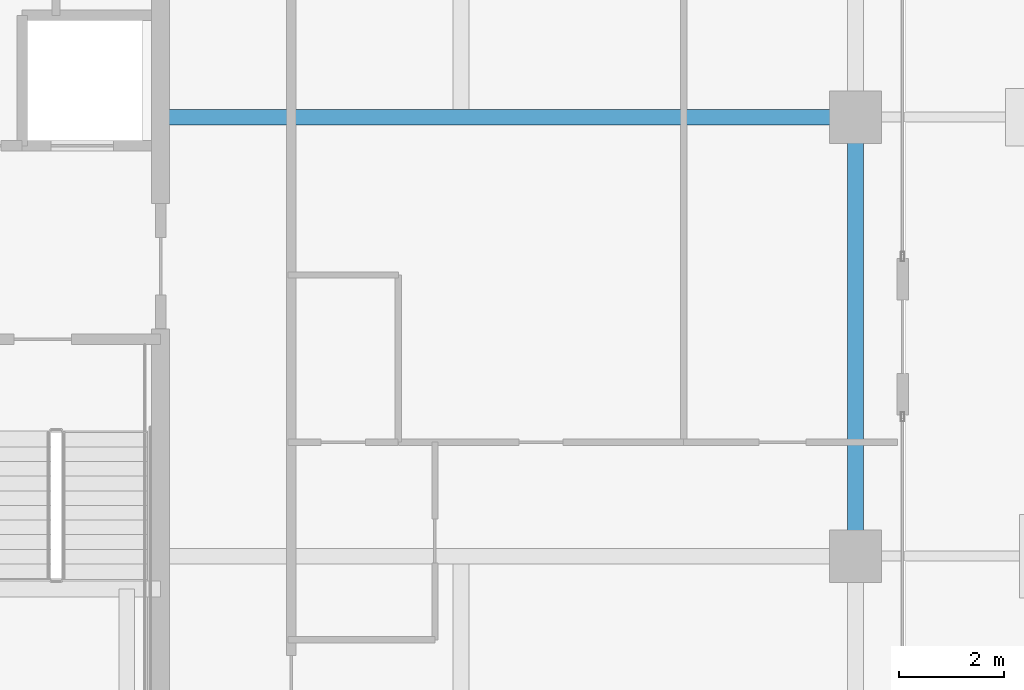
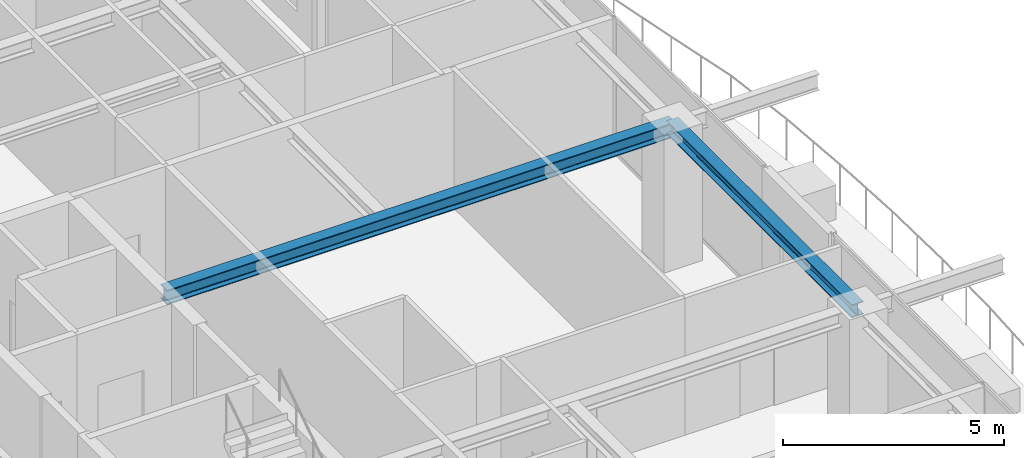
# One storey, part 17 of 42: 2 beams.
"""IFC4 building model written with IfcOpenShell, lengths in metres."""

from ifc_helpers import new_model, si_unit, direction, frame, origin, origin_2d, place, context, subcontext, project, spatial, i_section, extrude, source, transform, mapped, material, material_profile, profile_set, type_object, element, save


model = new_model("IFC4")

# Units and contexts
model_context = context("Model", 3, precision=1e-05, world=origin(), true_north=direction((0.0, 1.0)))
body_context = subcontext(model_context, "Body", "Model", "MODEL_VIEW")
ifc_project = project(units=[si_unit("LENGTHUNIT", "METRE"), si_unit("AREAUNIT", "SQUARE_METRE"), si_unit("VOLUMEUNIT", "CUBIC_METRE"), si_unit("PLANEANGLEUNIT", "RADIAN"), si_unit("MASSUNIT", "GRAM", prefix="KILO")], contexts=[model_context])

# Site, building, storey
site_placement = place(None, origin())
site = spatial("IfcSite", under=ifc_project, at=site_placement, CompositionType="ELEMENT")
building_placement = place(site_placement, origin())
building = spatial("IfcBuilding", under=site, at=building_placement, Name="Serunith Strait Residences", CompositionType="ELEMENT")
storey_placement = place(building_placement, frame((0.0, 0.0, 297.5)))
storey = spatial("IfcBuildingStorey", under=building, at=storey_placement, Name="L74", CompositionType="ELEMENT", Elevation=297.5)

# Beams
ifc_material = material(Name="Steel S355J2", Category="steel")
ifc_material_profile_1 = material_profile(ifc_material, i_section(OverallWidth=0.300048828125, OverallDepth=0.39990234375, WebThickness=0.013427734375, FlangeThickness=0.02392578125, FilletRadius=0.027099609375, at=origin_2d()), Name="HEB 400")
ifc_profile_set_1 = profile_set([ifc_material_profile_1], Name="Steel S355J2")
beam_type_1 = type_object("IfcBeamType", Name="BM-HEB400", PredefinedType="BEAM", material=ifc_profile_set_1)
shared_shape_1 = source(origin(), body_context, "Body", "SweptSolid", [
    extrude(i_section(OverallWidth=0.300048828125, OverallDepth=0.39990234375, WebThickness=0.013427734375, FlangeThickness=0.02392578125, FilletRadius=0.027099609375, at=origin_2d()), origin(), (0.0, 0.0, 1.0), 13.300048828125),
])
beam_1_placement = place(storey_placement, frame((41.39990234375, 29.39990234375, 3.5869140625), z_axis=(1.0, 0.0, 0.0), x_axis=(0.0, 1.0, 0.0)))
element("IfcBeam", 1, at=beam_1_placement, inside=storey, type_object=beam_type_1, Name="L74 Primary Floor Girder TC-E3", PredefinedType="BEAM", context=body_context, shape_type="MappedRepresentation", body=[
    mapped(shared_shape_1, transform((0.0, 0.0, 0.0), scale=1.0)),
])
ifc_material_profile_2 = material_profile(ifc_material, i_section(OverallWidth=0.300048828125, OverallDepth=0.360107421875, WebThickness=0.012451171875, FlangeThickness=0.0224609375, FilletRadius=0.027099609375, at=origin_2d()), Name="HEB 360")
ifc_profile_set_2 = profile_set([ifc_material_profile_2], Name="Steel S355J2")
beam_type_2 = type_object("IfcBeamType", Name="BM-HEB360", PredefinedType="BEAM", material=ifc_profile_set_2)
shared_shape_2 = source(origin(), body_context, "Body", "SweptSolid", [
    extrude(i_section(OverallWidth=0.300048828125, OverallDepth=0.360107421875, WebThickness=0.012451171875, FlangeThickness=0.0224609375, FilletRadius=0.027099609375, at=origin_2d()), origin(), (0.0, 0.0, 1.0), 8.39990234375),
])
beam_2_placement = place(storey_placement, frame((54.699951171875, 21.0, 3.60693359375), z_axis=(0.0, 1.0, 0.0), x_axis=(-1.0, 0.0, 0.0)))
element("IfcBeam", 2, at=beam_2_placement, inside=storey, type_object=beam_type_2, Name="L74 Perimeter Ring Beam 06", PredefinedType="BEAM", context=body_context, shape_type="MappedRepresentation", body=[
    mapped(shared_shape_2, transform((0.0, 0.0, 0.0), scale=1.0)),
])

save(model, "model.ifc")
